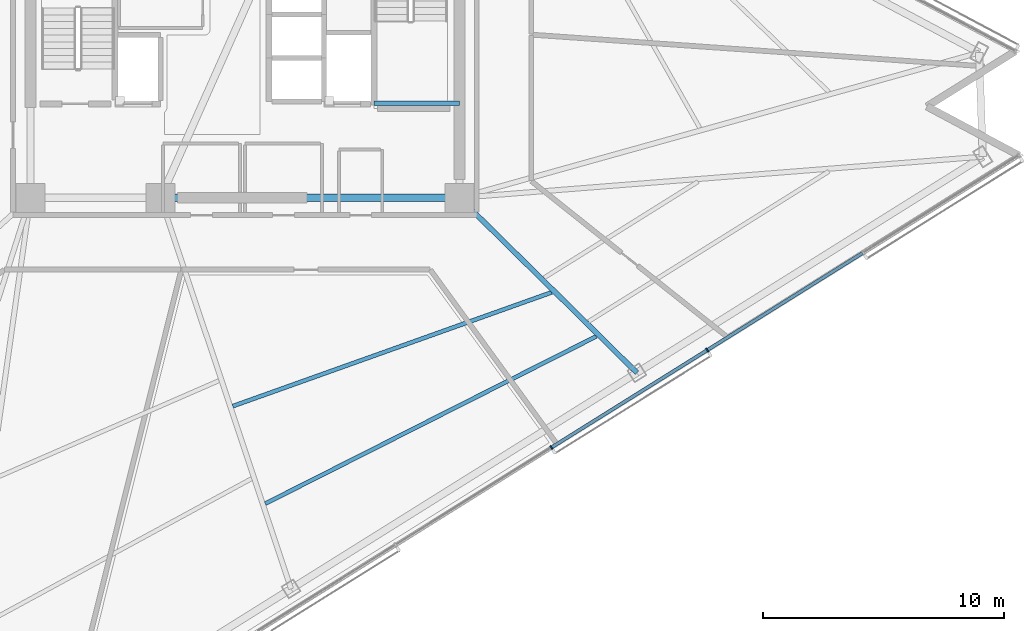
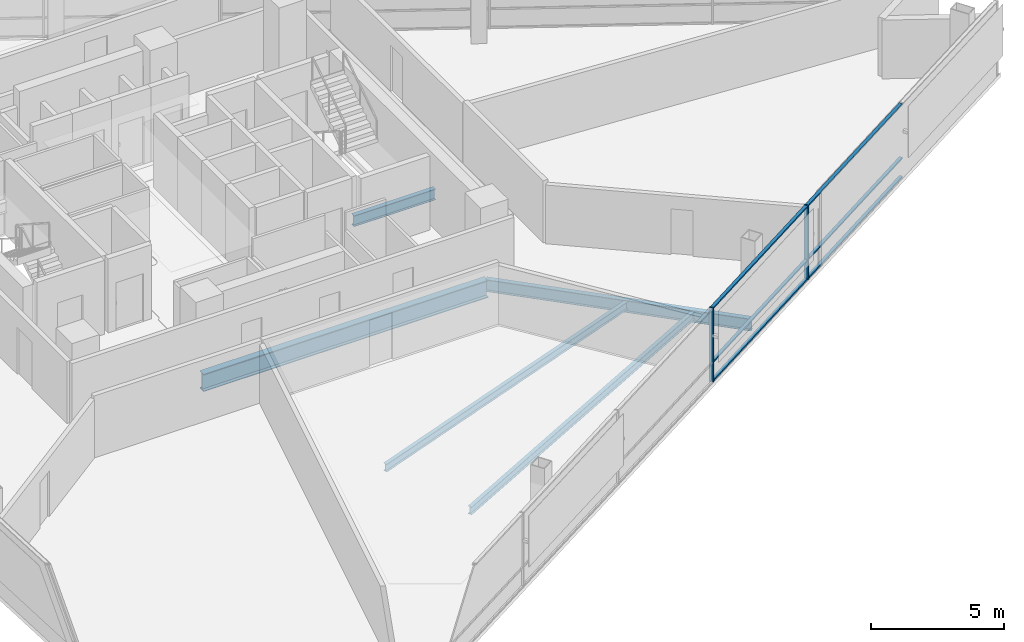
# One storey, part 5 of 21: 8 members, 5 beams, 1 element without a shape of its own.
"""IFC4 building model written with IfcOpenShell, lengths in metres."""

from ifc_helpers import new_model, si_unit, direction, frame, origin, origin_2d, place, context, subcontext, project, spatial, rectangle, i_section, extrude, material, layer, layer_set, material_profile, profile_set, type_object, element, aggregate, save


model = new_model("IFC4")

# Units and contexts
model_context = context("Model", 3, precision=1e-05, world=origin(), true_north=direction((0.0, 1.0)))
body_context = subcontext(model_context, "Body", "Model", "MODEL_VIEW")
ifc_project = project(units=[si_unit("LENGTHUNIT", "METRE"), si_unit("AREAUNIT", "SQUARE_METRE"), si_unit("VOLUMEUNIT", "CUBIC_METRE"), si_unit("PLANEANGLEUNIT", "RADIAN"), si_unit("MASSUNIT", "GRAM", prefix="KILO")], contexts=[model_context])

# Site, building, storey
site_placement = place(None, origin())
site = spatial("IfcSite", under=ifc_project, at=site_placement, CompositionType="ELEMENT")
building_placement = place(site_placement, origin())
building = spatial("IfcBuilding", under=site, at=building_placement, Name="Tharavind Bronze Gate", CompositionType="ELEMENT")
storey_placement = place(building_placement, frame((0.0, 0.0, 156.800048828125)))
storey = spatial("IfcBuildingStorey", under=building, at=storey_placement, Name="L40", CompositionType="ELEMENT", Elevation=156.800048828125)

# Curtain wall, members
ifc_material_1 = material(Name="Anodised Bronze Aluminium", Category="aluminium")
ifc_layer = layer(ifc_material_1, 0.219970703125)
ifc_layer_set = layer_set([ifc_layer], Name="Anodised Bronze Aluminium")
curtain_wall_type = type_object("IfcCurtainWallType", Name="UNITISED CURTAIN WALL MID OFFICE", PredefinedType="USERDEFINED", material=ifc_layer_set)
curtain_wall_placement = place(storey_placement, origin())
curtain_wall = element("IfcCurtainWall", 1, at=curtain_wall_placement, inside=storey, type_object=curtain_wall_type, Name="L40 unitised curtain wall mid office CW-L40-S2", ObjectType="UNITISED CURTAIN WALL", PredefinedType="USERDEFINED")
member_type_1 = type_object("IfcMemberType", Name="CURTAIN WALL BRONZE MULLION 65X180", PredefinedType="MULLION", material=ifc_material_1)
member_1_placement = place(storey_placement, frame((12.71826171875, -17.960205078125, 0.0), z_axis=(0.0, 0.0, 1.0), x_axis=(0.848048096156, 0.529919264233, 0.0)))
member_1 = element("IfcMember", 2, at=member_1_placement, type_object=member_type_1, Name="CW-L40-S2 mullion 5", PredefinedType="MULLION", context=body_context, shape_type="SweptSolid", body=[
    extrude(rectangle(XDim=0.06494140625, YDim=0.179931640625, at=origin_2d()), origin(), (0.0, 0.0, 1.0), 3.409912109375),
])
member_2_placement = place(storey_placement, frame((19.18359375, -13.919921875, 0.0), z_axis=(0.0, 0.0, 1.0), x_axis=(0.848048096156, 0.529919264233, 0.0)))
member_2 = element("IfcMember", 3, at=member_2_placement, type_object=member_type_1, Name="CW-L40-S2 mullion 6", PredefinedType="MULLION", context=body_context, shape_type="SweptSolid", body=[
    extrude(rectangle(XDim=0.06494140625, YDim=0.179931640625, at=origin_2d()), origin(), (0.0, 0.0, 1.0), 3.409912109375),
])
member_type_2 = type_object("IfcMemberType", Name="CURTAIN WALL BRONZE TRANSOM 65X140", PredefinedType="USERDEFINED", material=ifc_material_1)
member_3_placement = place(storey_placement, frame((15.950927734375, -15.93994140625, 0.0), z_axis=(0.0, 0.0, 1.0), x_axis=(0.848048096156, 0.529919264233, 0.0)))
member_3 = element("IfcMember", 4, at=member_3_placement, type_object=member_type_2, Name="CW-L40-S2 transom TB5", ObjectType="TRANSOM", PredefinedType="USERDEFINED", context=body_context, shape_type="SweptSolid", body=[
    extrude(rectangle(XDim=7.57080078125, YDim=0.139892578125, at=origin_2d()), origin(), (0.0, 0.0, 1.0), 0.06494140625),
])
member_4_placement = place(storey_placement, frame((15.950927734375, -15.93994140625, 0.867431640625), z_axis=(0.0, 0.0, 1.0), x_axis=(0.848048096156, 0.529919264233, 0.0)))
member_4 = element("IfcMember", 5, at=member_4_placement, type_object=member_type_2, Name="CW-L40-S2 transom TS5", ObjectType="TRANSOM", PredefinedType="USERDEFINED", context=body_context, shape_type="SweptSolid", body=[
    extrude(rectangle(XDim=7.57080078125, YDim=0.139892578125, at=origin_2d()), origin(), (0.0, 0.0, 1.0), 0.06494140625),
])
member_5_placement = place(storey_placement, frame((15.950927734375, -15.93994140625, 3.344970703125), z_axis=(0.0, 0.0, 1.0), x_axis=(0.848048096156, 0.529919264233, 0.0)))
member_5 = element("IfcMember", 6, at=member_5_placement, type_object=member_type_2, Name="CW-L40-S2 transom TT5", ObjectType="TRANSOM", PredefinedType="USERDEFINED", context=body_context, shape_type="SweptSolid", body=[
    extrude(rectangle(XDim=7.57080078125, YDim=0.139892578125, at=origin_2d()), origin(), (0.0, 0.0, 1.0), 0.06494140625),
])
member_6_placement = place(storey_placement, frame((22.41650390625, -11.89990234375, 0.0), z_axis=(0.0, 0.0, 1.0), x_axis=(0.848048096156, 0.529919264233, 0.0)))
member_6 = element("IfcMember", 7, at=member_6_placement, type_object=member_type_2, Name="CW-L40-S2 transom TB6", ObjectType="TRANSOM", PredefinedType="USERDEFINED", context=body_context, shape_type="SweptSolid", body=[
    extrude(rectangle(XDim=7.57080078125, YDim=0.139892578125, at=origin_2d()), origin(), (0.0, 0.0, 1.0), 0.06494140625),
])
member_7_placement = place(storey_placement, frame((22.41650390625, -11.89990234375, 0.867431640625), z_axis=(0.0, 0.0, 1.0), x_axis=(0.848048096156, 0.529919264233, 0.0)))
member_7 = element("IfcMember", 8, at=member_7_placement, type_object=member_type_2, Name="CW-L40-S2 transom TS6", ObjectType="TRANSOM", PredefinedType="USERDEFINED", context=body_context, shape_type="SweptSolid", body=[
    extrude(rectangle(XDim=7.57080078125, YDim=0.139892578125, at=origin_2d()), origin(), (0.0, 0.0, 1.0), 0.06494140625),
])
member_8_placement = place(storey_placement, frame((22.41650390625, -11.89990234375, 3.344970703125), z_axis=(0.0, 0.0, 1.0), x_axis=(0.848048096156, 0.529919264233, 0.0)))
member_8 = element("IfcMember", 9, at=member_8_placement, type_object=member_type_2, Name="CW-L40-S2 transom TT6", ObjectType="TRANSOM", PredefinedType="USERDEFINED", context=body_context, shape_type="SweptSolid", body=[
    extrude(rectangle(XDim=7.57080078125, YDim=0.139892578125, at=origin_2d()), origin(), (0.0, 0.0, 1.0), 0.06494140625),
])
aggregate(curtain_wall, [member_1, member_2, member_3, member_4, member_5, member_6, member_7, member_8])

# Beams
ifc_material_2 = material(Name="Steel S355", Category="steel")
ifc_material_profile_1 = material_profile(ifc_material_2, i_section(OverallWidth=0.199951171875, OverallDepth=0.5, WebThickness=0.01025390625, FlangeThickness=0.01611328125, at=origin_2d()), Name="IPE500")
ifc_profile_set_1 = profile_set([ifc_material_profile_1], Name="Steel S355")
beam_type_1 = type_object("IfcBeamType", Name="PRIMARY GIRDER IPE500", PredefinedType="USERDEFINED", material=ifc_profile_set_1)
beam_1_placement = place(storey_placement, frame((5.35009765625, -3.679931640625, 1.349853515625), z_axis=(1.0, 0.0, 0.0), x_axis=(0.0, 1.0, 0.0)))
element("IfcBeam", 10, at=beam_1_placement, inside=storey, type_object=beam_type_1, Name="L40 primary girder ipe500 BM-LD-ST2-L40-1", ObjectType="GIRDER", PredefinedType="USERDEFINED", context=body_context, shape_type="SweptSolid", body=[
    extrude(i_section(OverallWidth=0.199951171875, OverallDepth=0.5, WebThickness=0.01025390625, FlangeThickness=0.01611328125, at=origin_2d()), origin(), (0.0, 0.0, 1.0), 3.5498046875),
])
ifc_material_profile_2 = material_profile(ifc_material_2, i_section(OverallWidth=0.2099609375, OverallDepth=0.550048828125, WebThickness=0.010986328125, FlangeThickness=0.01708984375, at=origin_2d()), Name="IPE550")
ifc_profile_set_2 = profile_set([ifc_material_profile_2], Name="Steel S355")
beam_type_2 = type_object("IfcBeamType", Name="PRIMARY GIRDER IPE550", PredefinedType="USERDEFINED", material=ifc_profile_set_2)
beam_2_placement = place(storey_placement, frame((16.263916015625, -14.860107421875, -0.465087890625), z_axis=(-0.712117612056, 0.702060187306, 0.0), x_axis=(-0.702060187306, -0.712117612056, 0.0)))
element("IfcBeam", 11, at=beam_2_placement, inside=storey, type_object=beam_type_2, Name="L40 primary girder ipe550 BM-L40-RAD07", ObjectType="GIRDER", PredefinedType="USERDEFINED", context=body_context, shape_type="SweptSolid", body=[
    extrude(i_section(OverallWidth=0.2099609375, OverallDepth=0.550048828125, WebThickness=0.010986328125, FlangeThickness=0.01708984375, at=origin_2d()), origin(), (0.0, 0.0, 1.0), 10.341064453125),
])
ifc_material_profile_3 = material_profile(ifc_material_2, i_section(OverallWidth=0.300048828125, OverallDepth=0.800048828125, WebThickness=0.017578125, FlangeThickness=0.032958984375, at=origin_2d()), Name="HE800B")
ifc_profile_set_3 = profile_set([ifc_material_profile_3], Name="Steel S355")
beam_type_3 = type_object("IfcBeamType", Name="RING GIRDER HE800B", PredefinedType="USERDEFINED", material=ifc_profile_set_3)
beam_3_placement = place(storey_placement, frame((-3.5, -7.60009765625, -0.590087890625), z_axis=(1.0, 0.0, 0.0), x_axis=(0.0, 1.0, 0.0)))
element("IfcBeam", 12, at=beam_3_placement, inside=storey, type_object=beam_type_3, Name="L40 ring girder he800b BM-L40-CR2", ObjectType="GIRDER", PredefinedType="USERDEFINED", context=body_context, shape_type="SweptSolid", body=[
    extrude(i_section(OverallWidth=0.300048828125, OverallDepth=0.800048828125, WebThickness=0.017578125, FlangeThickness=0.032958984375, at=origin_2d()), origin(), (0.0, 0.0, 1.0), 12.39990234375),
])
ifc_material_profile_4 = material_profile(ifc_material_2, i_section(OverallWidth=0.169921875, OverallDepth=0.360107421875, WebThickness=0.008056640625, FlangeThickness=0.0126953125, at=origin_2d()), Name="IPE360")
ifc_profile_set_4 = profile_set([ifc_material_profile_4], Name="Steel S355")
beam_type_4 = type_object("IfcBeamType", Name="SECONDARY FLOOR JOIST IPE360", PredefinedType="JOIST", material=ifc_profile_set_4)
beam_4_placement = place(storey_placement, frame((-0.501708984375, -16.245361328125, -0.3701171875), z_axis=(0.941820934354, 0.336115051156, 0.0), x_axis=(-0.336115051156, 0.941820934354, 0.0)))
element("IfcBeam", 13, at=beam_4_placement, inside=storey, type_object=beam_type_4, Name="L40 secondary floor joist ipe360 BM-L40-JSTA06", PredefinedType="JOIST", context=body_context, shape_type="SweptSolid", body=[
    extrude(i_section(OverallWidth=0.169921875, OverallDepth=0.360107421875, WebThickness=0.008056640625, FlangeThickness=0.0126953125, at=origin_2d()), origin(), (0.0, 0.0, 1.0), 14.044921875),
])
beam_5_placement = place(storey_placement, frame((0.846923828125, -20.289306640625, -0.3701171875), z_axis=(0.89252439558, 0.450999116733, 0.0), x_axis=(-0.450999116733, 0.89252439558, 0.0)))
element("IfcBeam", 14, at=beam_5_placement, inside=storey, type_object=beam_type_4, Name="L40 secondary floor joist ipe360 BM-L40-JSTB06", PredefinedType="JOIST", context=body_context, shape_type="SweptSolid", body=[
    extrude(i_section(OverallWidth=0.169921875, OverallDepth=0.360107421875, WebThickness=0.008056640625, FlangeThickness=0.0126953125, at=origin_2d()), origin(), (0.0, 0.0, 1.0), 15.384765625),
])

save(model, "model.ifc")
